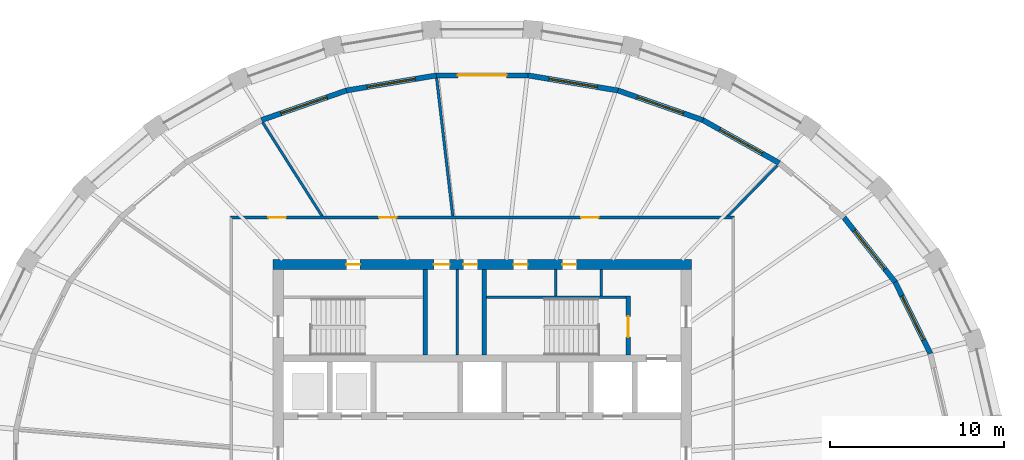
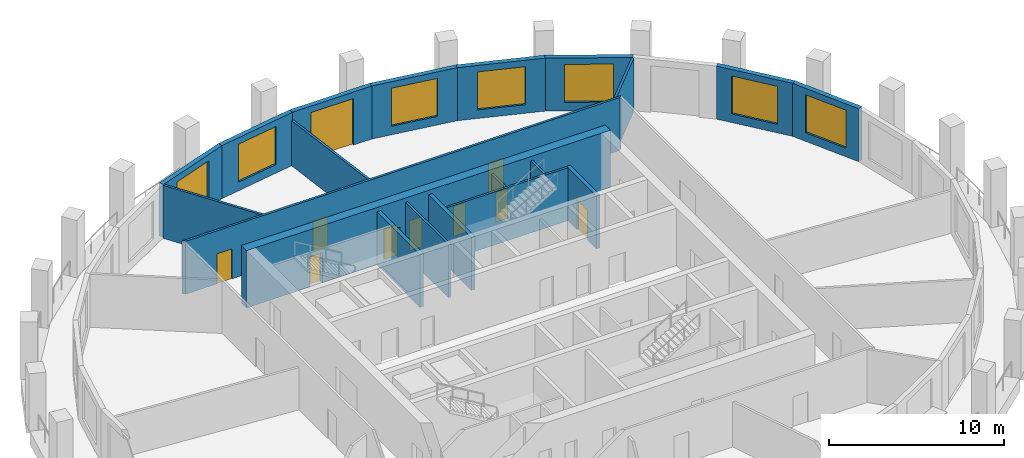
# One storey, part 6 of 10: 20 walls, 10 doors, 7 windows, 17 openings.
"""IFC4 building model written with IfcOpenShell, lengths in metres."""

from ifc_helpers import new_model, si_unit, direction, frame, frame_2d, origin, place, context, subcontext, project, spatial, polyline, rectangle, outline, extrude, material, layer, layer_set, type_object, element, fill, save


model = new_model("IFC4")

# Units and contexts
model_context = context("Model", 3, precision=1e-05, world=origin(), true_north=direction((0.0, 1.0)))
body_context = subcontext(model_context, "Body", "Model", "MODEL_VIEW")
ifc_project = project(units=[si_unit("LENGTHUNIT", "METRE"), si_unit("AREAUNIT", "SQUARE_METRE"), si_unit("VOLUMEUNIT", "CUBIC_METRE"), si_unit("PLANEANGLEUNIT", "RADIAN"), si_unit("MASSUNIT", "GRAM", prefix="KILO")], contexts=[model_context])

# Site, building, storey
site_placement = place(None, origin())
site = spatial("IfcSite", under=ifc_project, at=site_placement, CompositionType="ELEMENT")
building_placement = place(site_placement, origin())
building = spatial("IfcBuilding", under=site, at=building_placement, Name="Halqa Exchange Tower", CompositionType="ELEMENT")
storey_placement = place(building_placement, frame((0.0, 0.0, 284.300048828125)))
storey = spatial("IfcBuildingStorey", under=building, at=storey_placement, Name="L66", CompositionType="ELEMENT", Elevation=284.300048828125)

# Wall, openings, doors
ifc_material_1 = material(Name="Fire-rated gypsum board")
ifc_layer_1 = layer(ifc_material_1, 0.14990234375)
ifc_layer_set_1 = layer_set([ifc_layer_1], Name="Fire-rated gypsum board")
wall_type_1 = type_object("IfcWallType", Name="Fire partition EI 60 150", PredefinedType="PARTITIONING", material=ifc_layer_set_1)
wall_1_placement = place(storey_placement, frame((-14.47509765625, 14.39990234375, 0.0), z_axis=(0.0, 0.0, 1.0), x_axis=(1.0, 0.0, 0.0)))
wall_1 = element("IfcWall", 1, at=wall_1_placement, inside=storey, type_object=wall_type_1, Name="L66-PWL-006", PredefinedType="PARTITIONING", context=body_context, shape_type="SweptSolid", body=[
    extrude(outline(polyline([(0.150146484375, -0.074951171875), (2.06005859375, -0.074951171875), (3.97021484375, -0.074951171875), (5.880126953125, -0.074951171875), (7.7900390625, -0.074951171875), (9.7001953125, -0.074951171875), (11.610107421875, -0.074951171875), (13.52001953125, -0.074951171875), (15.43017578125, -0.074951171875), (17.340087890625, -0.074951171875), (19.25, -0.074951171875), (21.16015625, -0.074951171875), (23.070068359375, -0.074951171875), (24.97998046875, -0.074951171875), (26.89013671875, -0.074951171875), (28.800048828125, -0.074951171875), (28.949951171875, 0.074951171875), (27.02001953125, 0.074951171875), (25.090087890625, 0.074951171875), (23.159912109375, 0.074951171875), (21.22998046875, 0.074951171875), (19.300048828125, 0.074951171875), (17.3701171875, 0.074951171875), (15.440185546875, 0.074951171875), (13.510009765625, 0.074951171875), (11.580078125, 0.074951171875), (9.650146484375, 0.074951171875), (7.72021484375, 0.074951171875), (5.790283203125, 0.074951171875), (3.860107421875, 0.074951171875), (1.93017578125, 0.074951171875), (0.000244140625, 0.074951171875), (0.150146484375, -0.074951171875)])), origin(), (0.0, 0.0, 1.0), 3.699951171875),
])
opening_1_placement = place(wall_1_placement, frame((20.14990234375, 0.0, 0.0)))
opening_1 = element("IfcOpeningElement", 2, at=opening_1_placement, cuts=wall_1, Name="Opening 20-04", PredefinedType="OPENING", context=body_context, shape_type="SweptSolid", body=[
    extrude(rectangle(XDim=1.0, YDim=2.10009765625, at=frame_2d((0.5, 1.050048828125))), frame((0.0, 0.0869140625, 0.0), z_axis=(0.0, -1.0, 0.0), x_axis=(1.0, 0.0, 0.0)), (0.0, 0.0, 1.0), 0.173828125),
])
opening_2_placement = place(wall_1_placement, frame((8.56494140625, 0.0, 0.0)))
opening_2 = element("IfcOpeningElement", 3, at=opening_2_placement, cuts=wall_1, Name="Opening 20-05", PredefinedType="OPENING", context=body_context, shape_type="SweptSolid", body=[
    extrude(rectangle(XDim=1.0, YDim=2.10009765625, at=frame_2d((0.5, 1.050048828125))), frame((0.0, 0.0869140625, 0.0), z_axis=(0.0, -1.0, 0.0), x_axis=(1.0, 0.0, 0.0)), (0.0, 0.0, 1.0), 0.173828125),
])
opening_3_placement = place(wall_1_placement, frame((2.205078125, 0.0, 0.0)))
opening_3 = element("IfcOpeningElement", 4, at=opening_3_placement, cuts=wall_1, Name="Opening 20-06", PredefinedType="OPENING", context=body_context, shape_type="SweptSolid", body=[
    extrude(rectangle(XDim=1.0, YDim=2.10009765625, at=frame_2d((0.5, 1.050048828125))), frame((0.0, 0.0869140625, 0.0), z_axis=(0.0, -1.0, 0.0), x_axis=(1.0, 0.0, 0.0)), (0.0, 0.0, 1.0), 0.173828125),
])
ifc_material_2 = material(Name="Steel fire door leaf", Category="steel")
door_type_1 = type_object("IfcDoorType", Name="Fire door FD30S 1000 x 2100", OperationType="SINGLE_SWING_LEFT", PredefinedType="DOOR", material=ifc_material_2)
door_1_placement = place(opening_1_placement, origin())
door_1 = element("IfcDoor", 5, at=door_1_placement, inside=storey, type_object=door_type_1, Name="L66-IDR-004", OperationType="SINGLE_SWING_LEFT", OverallHeight=2.10009765625, OverallWidth=1.0, PredefinedType="DOOR", context=body_context, shape_type="SweptSolid", body=[
    extrude(rectangle(XDim=1.0, YDim=2.10009765625, at=frame_2d((0.5, 1.050048828125))), frame((0.0, 0.02490234375, 0.0), z_axis=(0.0, -1.0, 0.0), x_axis=(1.0, 0.0, 0.0)), (0.0, 0.0, 1.0), 0.050048828125),
])
fill(opening_1, door_1)
door_2_placement = place(opening_2_placement, origin())
door_2 = element("IfcDoor", 6, at=door_2_placement, inside=storey, type_object=door_type_1, Name="L66-IDR-005", OperationType="SINGLE_SWING_LEFT", OverallHeight=2.10009765625, OverallWidth=1.0, PredefinedType="DOOR", context=body_context, shape_type="SweptSolid", body=[
    extrude(rectangle(XDim=1.0, YDim=2.10009765625, at=frame_2d((0.5, 1.050048828125))), frame((0.0, 0.02490234375, 0.0), z_axis=(0.0, -1.0, 0.0), x_axis=(1.0, 0.0, 0.0)), (0.0, 0.0, 1.0), 0.050048828125),
])
fill(opening_2, door_2)
door_3_placement = place(opening_3_placement, origin())
door_3 = element("IfcDoor", 7, at=door_3_placement, inside=storey, type_object=door_type_1, Name="L66-IDR-006", OperationType="SINGLE_SWING_LEFT", OverallHeight=2.10009765625, OverallWidth=1.0, PredefinedType="DOOR", context=body_context, shape_type="SweptSolid", body=[
    extrude(rectangle(XDim=1.0, YDim=2.10009765625, at=frame_2d((0.5, 1.050048828125))), frame((0.0, 0.02490234375, 0.0), z_axis=(0.0, -1.0, 0.0), x_axis=(1.0, 0.0, 0.0)), (0.0, 0.0, 1.0), 0.050048828125),
])
fill(opening_3, door_3)

# Walls
wall_2_placement = place(storey_placement, frame((-9.162109375, 14.43505859375, 0.0), z_axis=(0.0, 0.0, 1.0), x_axis=(-0.536136809147, 0.844131104674, 0.0)))
element("IfcWall", 8, at=wall_2_placement, inside=storey, type_object=wall_type_1, Name="L66-PWL-007", PredefinedType="PARTITIONING", context=body_context, shape_type="SweptSolid", body=[
    extrude(outline(polyline([(0.0, -0.074951171875), (1.59912109375, -0.074951171875), (3.198486328125, -0.074951171875), (4.797607421875, -0.074951171875), (6.396728515625, -0.074951171875), (6.413818359375, -0.00244140625), (6.41748046875, 0.06640625), (6.41748046875, 0.074951171875), (4.8369140625, 0.074951171875), (3.256103515625, 0.074951171875), (1.675537109375, 0.074951171875), (0.094970703125, 0.074951171875), (0.0, -0.074462890625), (0.0, -0.074951171875)])), origin(), (0.0, 0.0, 1.0), 3.699951171875),
])
wall_3_placement = place(storey_placement, frame((-1.687744140625, 14.466552734375, 0.0), z_axis=(0.0, 0.0, 1.0), x_axis=(-0.116071250105, 0.993240889663, 0.0)))
element("IfcWall", 9, at=wall_3_placement, inside=storey, type_object=wall_type_1, Name="L66-PWL-009", PredefinedType="PARTITIONING", context=body_context, shape_type="SweptSolid", body=[
    extrude(outline(polyline([(0.0, -0.074951171875), (1.99462890625, -0.074951171875), (3.9892578125, -0.074951171875), (5.98388671875, -0.074951171875), (7.978515625, -0.074951171875), (7.984375, -0.025390625), (7.984375, 0.074951171875), (5.99267578125, 0.074951171875), (4.000732421875, 0.074951171875), (2.009033203125, 0.074951171875), (0.017333984375, 0.074951171875), (0.0, -0.07275390625), (0.0, -0.074951171875)])), origin(), (0.0, 0.0, 1.0), 3.14990234375),
])
wall_4_placement = place(storey_placement, frame((14.05224609375, 14.4228515625, 0.0), z_axis=(0.0, 0.0, 1.0), x_axis=(0.698170464683, 0.715931562542, 0.0)))
element("IfcWall", 10, at=wall_4_placement, inside=storey, type_object=wall_type_1, Name="L66-PWL-011", PredefinedType="PARTITIONING", context=body_context, shape_type="SweptSolid", body=[
    extrude(outline(polyline([(4.137451171875, -0.074951171875), (4.137451171875, 0.074951171875), (4.137451171875, 0.074951171875), (2.75830078125, 0.074951171875), (1.379150390625, 0.074951171875), (0.0, 0.074951171875), (0.0, 0.07470703125), (0.14599609375, -0.074951171875), (2.1416015625, -0.074951171875), (4.137451171875, -0.074951171875)])), origin(), (0.0, 0.0, 1.0), 3.699951171875),
])
ifc_material_3 = material(Name="Gypsum board")
ifc_layer_2 = layer(ifc_material_3, 0.14990234375)
ifc_layer_set_2 = layer_set([ifc_layer_2], Name="Gypsum board")
wall_type_2 = type_object("IfcWallType", Name="Penthouse riser wall 150 gypsum", PredefinedType="PARTITIONING", material=ifc_layer_set_2)
wall_5_placement = place(storey_placement, frame((-1.425048828125, 6.5, 0.0), z_axis=(0.0, 0.0, 1.0), x_axis=(0.0, 1.0, 0.0)))
element("IfcWall", 11, at=wall_5_placement, inside=storey, type_object=wall_type_2, Name="Partition W1.425 N", PredefinedType="PARTITIONING", context=body_context, shape_type="SweptSolid", body=[
    extrude(rectangle(XDim=4.89990234375, YDim=0.14990234375, at=frame_2d((2.449951171875, 0.0))), origin(), (0.0, 0.0, 1.0), 3.699951171875),
])
for number, where, z_axis, x_axis, name in (
    (12, (4.22509765625, 9.89990234375, 0.0), (0.0, 0.0, 1.0), (0.0, 1.0, 0.0), "Partition E4.225 N"),
    (13, (6.824951171875, 9.89990234375, 0.0), (0.0, 0.0, 1.0), (0.0, 1.0, 0.0), "Firefighting lobby west wall N"),
):
    element("IfcWall", number, at=place(storey_placement, frame(where, z_axis=z_axis, x_axis=x_axis)), inside=storey, type_object=wall_type_2, Name=name, PredefinedType="PARTITIONING", context=body_context, shape_type="SweptSolid", body=[
        extrude(rectangle(XDim=1.5, YDim=0.14990234375, at=frame_2d((0.75, 0.0))), origin(), (0.0, 0.0, 1.0), 3.699951171875),
    ])

# Wall, openings, doors
ifc_material_4 = material(Name="Concrete C60/75", Category="concrete")
ifc_layer_3 = layer(ifc_material_4, 0.60009765625)
ifc_layer_set_3 = layer_set([ifc_layer_3], Name="Concrete C60/75")
wall_type_3 = type_object("IfcWallType", Name="RC core wall 600 C60/75", PredefinedType="SHEAR", material=ifc_layer_set_3)
wall_6_placement = place(storey_placement, frame((-12.0, 11.699951171875, 0.0), z_axis=(0.0, 0.0, 1.0), x_axis=(1.0, 0.0, 0.0)))
wall_6 = element("IfcWall", 14, at=wall_6_placement, inside=storey, type_object=wall_type_3, Name="Core wall north", PredefinedType="SHEAR", context=body_context, shape_type="SweptSolid", body=[
    extrude(rectangle(XDim=24.0, YDim=0.60009765625, at=frame_2d((12.0, 0.0))), origin(), (0.0, 0.0, 1.0), 4.0),
])
opening_4_placement = place(wall_6_placement, frame((9.22509765625, 0.0, 0.0)))
opening_4 = element("IfcOpeningElement", 15, at=opening_4_placement, cuts=wall_6, Name="Opening T20-C17", PredefinedType="OPENING", context=body_context, shape_type="SweptSolid", body=[
    extrude(rectangle(XDim=0.89990234375, YDim=2.10009765625, at=frame_2d((0.449951171875, 1.050048828125))), frame((0.0, 0.31201171875, 0.0), z_axis=(0.0, -1.0, 0.0), x_axis=(1.0, 0.0, 0.0)), (0.0, 0.0, 1.0), 0.6240234375),
])
opening_5_placement = place(wall_6_placement, frame((10.925048828125, 0.0, 0.0)))
opening_5 = element("IfcOpeningElement", 16, at=opening_5_placement, cuts=wall_6, Name="Opening T20-C18", PredefinedType="OPENING", context=body_context, shape_type="SweptSolid", body=[
    extrude(rectangle(XDim=0.800048828125, YDim=2.10009765625, at=frame_2d((0.39990234375, 1.050048828125))), frame((0.0, 0.31201171875, 0.0), z_axis=(0.0, -1.0, 0.0), x_axis=(1.0, 0.0, 0.0)), (0.0, 0.0, 1.0), 0.6240234375),
])
opening_6_placement = place(wall_6_placement, frame((4.199951171875, 0.0, 0.0)))
opening_6 = element("IfcOpeningElement", 17, at=opening_6_placement, cuts=wall_6, Name="Opening T20-C19", PredefinedType="OPENING", context=body_context, shape_type="SweptSolid", body=[
    extrude(rectangle(XDim=0.800048828125, YDim=2.10009765625, at=frame_2d((0.39990234375, 1.050048828125))), frame((0.0, 0.31201171875, 0.0), z_axis=(0.0, -1.0, 0.0), x_axis=(1.0, 0.0, 0.0)), (0.0, 0.0, 1.0), 0.6240234375),
])
opening_7_placement = place(wall_6_placement, frame((13.800048828125, 0.0, 0.0)))
opening_7 = element("IfcOpeningElement", 18, at=opening_7_placement, cuts=wall_6, Name="Opening T20-C20", PredefinedType="OPENING", context=body_context, shape_type="SweptSolid", body=[
    extrude(rectangle(XDim=0.800048828125, YDim=2.10009765625, at=frame_2d((0.39990234375, 1.050048828125))), frame((0.0, 0.31201171875, 0.0), z_axis=(0.0, -1.0, 0.0), x_axis=(1.0, 0.0, 0.0)), (0.0, 0.0, 1.0), 0.6240234375),
])
opening_8_placement = place(wall_6_placement, frame((16.60009765625, 0.0, 0.0)))
opening_8 = element("IfcOpeningElement", 19, at=opening_8_placement, cuts=wall_6, Name="Opening T20-C21", PredefinedType="OPENING", context=body_context, shape_type="SweptSolid", body=[
    extrude(rectangle(XDim=0.800048828125, YDim=2.10009765625, at=frame_2d((0.39990234375, 1.050048828125))), frame((0.0, 0.31201171875, 0.0), z_axis=(0.0, -1.0, 0.0), x_axis=(1.0, 0.0, 0.0)), (0.0, 0.0, 1.0), 0.6240234375),
])
ifc_material_5 = material(Name="Timber fire door leaf", Category="wood")
door_type_2 = type_object("IfcDoorType", Name="Core room door FD30 900 x 2100", OperationType="SINGLE_SWING_LEFT", PredefinedType="DOOR", material=ifc_material_5)
door_4_placement = place(opening_4_placement, frame((0.89990234375, 0.0, 0.0), z_axis=(0.0, 0.0, 1.0), x_axis=(-1.0, 0.0, 0.0)))
door_4 = element("IfcDoor", 20, at=door_4_placement, inside=storey, type_object=door_type_2, Name="Core room door", OperationType="SINGLE_SWING_RIGHT", OverallHeight=2.10009765625, OverallWidth=0.89990234375, PredefinedType="DOOR", context=body_context, shape_type="SweptSolid", body=[
    extrude(rectangle(XDim=0.89990234375, YDim=2.10009765625, at=frame_2d((0.449951171875, 1.050048828125))), frame((0.0, 0.02490234375, 0.0), z_axis=(0.0, -1.0, 0.0), x_axis=(1.0, 0.0, 0.0)), (0.0, 0.0, 1.0), 0.050048828125),
])
fill(opening_4, door_4)
door_type_3 = type_object("IfcDoorType", Name="Riser door FD60 800 x 2100", OperationType="SINGLE_SWING_LEFT", PredefinedType="DOOR", material=ifc_material_2)
door_5_placement = place(opening_5_placement, frame((0.800048828125, 0.0, 0.0), z_axis=(0.0, 0.0, 1.0), x_axis=(-1.0, 0.0, 0.0)))
door_5 = element("IfcDoor", 21, at=door_5_placement, inside=storey, type_object=door_type_3, Name="Core room door", OperationType="SINGLE_SWING_LEFT", OverallHeight=2.10009765625, OverallWidth=0.800048828125, PredefinedType="DOOR", context=body_context, shape_type="SweptSolid", body=[
    extrude(rectangle(XDim=0.800048828125, YDim=2.10009765625, at=frame_2d((0.39990234375, 1.050048828125))), frame((0.0, 0.02490234375, 0.0), z_axis=(0.0, -1.0, 0.0), x_axis=(1.0, 0.0, 0.0)), (0.0, 0.0, 1.0), 0.050048828125),
])
fill(opening_5, door_5)
door_6_placement = place(opening_6_placement, frame((0.800048828125, 0.0, 0.0), z_axis=(0.0, 0.0, 1.0), x_axis=(-1.0, 0.0, 0.0)))
door_6 = element("IfcDoor", 22, at=door_6_placement, inside=storey, type_object=door_type_3, Name="Core room door", OperationType="SINGLE_SWING_LEFT", OverallHeight=2.10009765625, OverallWidth=0.800048828125, PredefinedType="DOOR", context=body_context, shape_type="SweptSolid", body=[
    extrude(rectangle(XDim=0.800048828125, YDim=2.10009765625, at=frame_2d((0.39990234375, 1.050048828125))), frame((0.0, 0.02490234375, 0.0), z_axis=(0.0, -1.0, 0.0), x_axis=(1.0, 0.0, 0.0)), (0.0, 0.0, 1.0), 0.050048828125),
])
fill(opening_6, door_6)
door_7_placement = place(opening_7_placement, frame((0.800048828125, 0.0, 0.0), z_axis=(0.0, 0.0, 1.0), x_axis=(-1.0, 0.0, 0.0)))
door_7 = element("IfcDoor", 23, at=door_7_placement, inside=storey, type_object=door_type_3, Name="Core room door", OperationType="SINGLE_SWING_RIGHT", OverallHeight=2.10009765625, OverallWidth=0.800048828125, PredefinedType="DOOR", context=body_context, shape_type="SweptSolid", body=[
    extrude(rectangle(XDim=0.800048828125, YDim=2.10009765625, at=frame_2d((0.39990234375, 1.050048828125))), frame((0.0, 0.02490234375, 0.0), z_axis=(0.0, -1.0, 0.0), x_axis=(1.0, 0.0, 0.0)), (0.0, 0.0, 1.0), 0.050048828125),
])
fill(opening_7, door_7)
door_8_placement = place(opening_8_placement, frame((0.800048828125, 0.0, 0.0), z_axis=(0.0, 0.0, 1.0), x_axis=(-1.0, 0.0, 0.0)))
door_8 = element("IfcDoor", 24, at=door_8_placement, inside=storey, type_object=door_type_3, Name="Core room door", OperationType="SINGLE_SWING_LEFT", OverallHeight=2.10009765625, OverallWidth=0.800048828125, PredefinedType="DOOR", context=body_context, shape_type="SweptSolid", body=[
    extrude(rectangle(XDim=0.800048828125, YDim=2.10009765625, at=frame_2d((0.39990234375, 1.050048828125))), frame((0.0, 0.02490234375, 0.0), z_axis=(0.0, -1.0, 0.0), x_axis=(1.0, 0.0, 0.0)), (0.0, 0.0, 1.0), 0.050048828125),
])
fill(opening_8, door_8)

# Walls
ifc_material_6 = material(Name="Concrete C30/37", Category="concrete")
ifc_layer_4 = layer(ifc_material_6, 0.14990234375)
ifc_layer_set_4 = layer_set([ifc_layer_4], Name="Concrete C30/37")
wall_type_4 = type_object("IfcWallType", Name="RC stair wall 150 C30/37", PredefinedType="SHEAR", material=ifc_layer_set_4)
wall_7_placement = place(storey_placement, frame((0.25, 9.824951171875, 0.0), z_axis=(0.0, 0.0, 1.0), x_axis=(1.0, 0.0, 0.0)))
element("IfcWall", 25, at=wall_7_placement, inside=storey, type_object=wall_type_4, Name="Stair ST2 north wall N", PredefinedType="SHEAR", context=body_context, shape_type="SweptSolid", body=[
    extrude(rectangle(XDim=8.0, YDim=0.14990234375, at=frame_2d((4.0, 0.0))), origin(), (0.0, 0.0, 1.0), 3.699951171875),
])
ifc_layer_5 = layer(ifc_material_6, 0.25)
ifc_layer_set_5 = layer_set([ifc_layer_5], Name="Concrete C30/37")
wall_type_5 = type_object("IfcWallType", Name="RC stair wall 250 C30/37", PredefinedType="SHEAR", material=ifc_layer_set_5)
for number, where, z_axis, x_axis, name in (
    (26, (-3.27490234375, 6.5, 0.0), (0.0, 0.0, 1.0), (0.0, 1.0, 0.0), "Stair ST1 east wall N"),
    (27, (0.125, 6.5, 0.0), (0.0, 0.0, 1.0), (0.0, 1.0, 0.0), "Stair ST2 west wall N"),
):
    element("IfcWall", number, at=place(storey_placement, frame(where, z_axis=z_axis, x_axis=x_axis)), inside=storey, type_object=wall_type_5, Name=name, PredefinedType="SHEAR", context=body_context, shape_type="SweptSolid", body=[
        extrude(rectangle(XDim=4.89990234375, YDim=0.25, at=frame_2d((2.449951171875, 0.0))), origin(), (0.0, 0.0, 1.0), 3.699951171875),
    ])

# Wall, opening, door
wall_8_placement = place(storey_placement, frame((8.375, 6.5, 0.0), z_axis=(0.0, 0.0, 1.0), x_axis=(0.0, 1.0, 0.0)))
wall_8 = element("IfcWall", 28, at=wall_8_placement, inside=storey, type_object=wall_type_5, Name="Stair ST2 east wall N", PredefinedType="SHEAR", context=body_context, shape_type="SweptSolid", body=[
    extrude(rectangle(XDim=3.39990234375, YDim=0.25, at=frame_2d((1.699951171875, 0.0))), origin(), (0.0, 0.0, 1.0), 3.699951171875),
])
opening_9_placement = place(wall_8_placement, frame((1.02490234375, 0.0, 0.0)))
opening_9 = element("IfcOpeningElement", 29, at=opening_9_placement, cuts=wall_8, Name="Opening T20-C12", PredefinedType="OPENING", context=body_context, shape_type="SweptSolid", body=[
    extrude(rectangle(XDim=1.199951171875, YDim=2.10009765625, at=frame_2d((0.60009765625, 1.050048828125))), frame((0.0, 0.136962890625, 0.0), z_axis=(0.0, -1.0, 0.0), x_axis=(1.0, 0.0, 0.0)), (0.0, 0.0, 1.0), 0.27392578125),
])
door_type_4 = type_object("IfcDoorType", Name="Stair door FD90 1200 x 2100", OperationType="SINGLE_SWING_LEFT", PredefinedType="DOOR", material=ifc_material_2)
door_9_placement = place(opening_9_placement, origin())
door_9 = element("IfcDoor", 30, at=door_9_placement, inside=storey, type_object=door_type_4, Name="Stair door ST2", OperationType="SINGLE_SWING_RIGHT", OverallHeight=2.10009765625, OverallWidth=1.199951171875, PredefinedType="DOOR", context=body_context, shape_type="SweptSolid", body=[
    extrude(rectangle(XDim=1.199951171875, YDim=2.10009765625, at=frame_2d((0.60009765625, 1.050048828125))), frame((0.0, 0.02490234375, 0.0), z_axis=(0.0, -1.0, 0.0), x_axis=(1.0, 0.0, 0.0)), (0.0, 0.0, 1.0), 0.050048828125),
])
fill(opening_9, door_9)

# Wall, opening, window
ifc_material_7 = material(Name="Limestone cladding", Category="masonry")
ifc_layer_6 = layer(ifc_material_7, 0.0400390625)
ifc_material_8 = material(Name="Ventilated cavity")
ifc_layer_7 = layer(ifc_material_8, 0.030029296875, ventilated=True)
ifc_material_9 = material(Name="Mineral wool insulation")
ifc_layer_8 = layer(ifc_material_9, 0.10009765625)
ifc_layer_9 = layer(ifc_material_6, 0.10009765625)
ifc_material_10 = material(Name="Internal plaster")
ifc_layer_10 = layer(ifc_material_10, 0.030029296875)
ifc_layer_set_6 = layer_set([ifc_layer_6, ifc_layer_7, ifc_layer_8, ifc_layer_9, ifc_layer_10], Name="Stone-faced insulated wall 300")
wall_type_6 = type_object("IfcWallType", Name="Stone-faced insulated wall 300", PredefinedType="STANDARD", material=ifc_layer_set_6)
wall_9_placement = place(storey_placement, frame((25.717529296875, 6.584716796875, 0.0), z_axis=(0.0, 0.0, 1.0), x_axis=(-0.441335149795, 0.897342345794, 0.0)))
wall_9 = element("IfcWall", 31, at=wall_9_placement, inside=storey, type_object=wall_type_6, Name="Glass-line wall 2", PredefinedType="STANDARD", context=body_context, shape_type="SweptSolid", body=[
    extrude(outline(polyline([(-0.016845703125, -0.14990234375), (4.592041015625, -0.14990234375), (4.559814453125, 0.14990234375), (0.016845703125, 0.14990234375), (-0.016845703125, -0.14990234375)])), origin(), (0.0, 0.0, 1.0), 3.699951171875),
])
opening_10_placement = place(wall_9_placement, frame((0.887939453125, 0.0, 0.60009765625)))
opening_10 = element("IfcOpeningElement", 32, at=opening_10_placement, cuts=wall_9, Name="Opening W-F4-02", PredefinedType="OPENING", context=body_context, shape_type="SweptSolid", body=[
    extrude(rectangle(XDim=2.800048828125, YDim=2.64990234375, at=frame_2d((1.39990234375, 1.324951171875))), frame((0.0, 0.162109375, 0.0), z_axis=(0.0, -1.0, 0.0), x_axis=(1.0, 0.0, 0.0)), (0.0, 0.0, 1.0), 0.323974609375),
])
ifc_material_11 = material(Name="Clear low-emissivity glass in aluminium frame", Category="aluminium")
window_type = type_object("IfcWindowType", Name="Fixed clear glazed window 2800 x 2650", PartitioningType="DOUBLE_PANEL_VERTICAL", PredefinedType="WINDOW", material=ifc_material_11)
window_1_placement = place(opening_10_placement, origin())
window_1 = element("IfcWindow", 33, at=window_1_placement, inside=storey, type_object=window_type, Name="Window 4", OverallHeight=2.64990234375, OverallWidth=2.800048828125, PartitioningType="DOUBLE_PANEL_VERTICAL", PredefinedType="WINDOW", context=body_context, shape_type="SweptSolid", body=[
    extrude(rectangle(XDim=2.800048828125, YDim=2.64990234375, at=frame_2d((1.39990234375, 1.324951171875))), frame((0.0, 0.030029296875, 0.0), z_axis=(0.0, -1.0, 0.0), x_axis=(1.0, 0.0, 0.0)), (0.0, 0.0, 1.0), 0.06005859375),
])
fill(opening_10, window_1)

wall_10_placement = place(storey_placement, frame((23.697998046875, 10.69091796875, 0.0), z_axis=(0.0, 0.0, 1.0), x_axis=(-0.621544881236, 0.783378555112, 0.0)))
wall_10 = element("IfcWall", 34, at=wall_10_placement, inside=storey, type_object=wall_type_6, Name="Glass-line wall 3", PredefinedType="STANDARD", context=body_context, shape_type="SweptSolid", body=[
    extrude(outline(polyline([(-0.01611328125, -0.14990234375), (4.7294921875, -0.14990234375), (4.69921875, 0.14990234375), (0.01611328125, 0.14990234375), (-0.01611328125, -0.14990234375)])), origin(), (0.0, 0.0, 1.0), 3.699951171875),
])
opening_11_placement = place(wall_10_placement, frame((0.957275390625, 0.0, 0.60009765625)))
opening_11 = element("IfcOpeningElement", 35, at=opening_11_placement, cuts=wall_10, Name="Opening W-F4-03", PredefinedType="OPENING", context=body_context, shape_type="SweptSolid", body=[
    extrude(rectangle(XDim=2.800048828125, YDim=2.64990234375, at=frame_2d((1.39990234375, 1.324951171875))), frame((0.0, 0.162109375, 0.0), z_axis=(0.0, -1.0, 0.0), x_axis=(1.0, 0.0, 0.0)), (0.0, 0.0, 1.0), 0.323974609375),
])
window_2_placement = place(opening_11_placement, origin())
window_2 = element("IfcWindow", 36, at=window_2_placement, inside=storey, type_object=window_type, Name="Window 4", OverallHeight=2.64990234375, OverallWidth=2.800048828125, PartitioningType="DOUBLE_PANEL_VERTICAL", PredefinedType="WINDOW", context=body_context, shape_type="SweptSolid", body=[
    extrude(rectangle(XDim=2.800048828125, YDim=2.64990234375, at=frame_2d((1.39990234375, 1.324951171875))), frame((0.0, 0.030029296875, 0.0), z_axis=(0.0, -1.0, 0.0), x_axis=(1.0, 0.0, 0.0)), (0.0, 0.0, 1.0), 0.06005859375),
])
fill(opening_11, window_2)

wall_11_placement = place(storey_placement, frame((17.040771484375, 17.52294921875, 0.0), z_axis=(0.0, 0.0, 1.0), x_axis=(-0.871488606878, 0.490415750239, 0.0)))
wall_11 = element("IfcWall", 37, at=wall_11_placement, inside=storey, type_object=wall_type_6, Name="Glass-line wall 5", PredefinedType="STANDARD", context=body_context, shape_type="SweptSolid", body=[
    extrude(outline(polyline([(-0.01416015625, -0.14990234375), (5.039306640625, -0.14990234375), (5.012939453125, 0.14990234375), (0.01416015625, 0.14990234375), (-0.01416015625, -0.14990234375)])), origin(), (0.0, 0.0, 1.0), 3.699951171875),
])
opening_12_placement = place(wall_11_placement, frame((1.113037109375, 0.0, 0.60009765625)))
opening_12 = element("IfcOpeningElement", 38, at=opening_12_placement, cuts=wall_11, Name="Opening W-F4-05", PredefinedType="OPENING", context=body_context, shape_type="SweptSolid", body=[
    extrude(rectangle(XDim=2.800048828125, YDim=2.64990234375, at=frame_2d((1.39990234375, 1.324951171875))), frame((0.0, 0.162109375, 0.0), z_axis=(0.0, -1.0, 0.0), x_axis=(1.0, 0.0, 0.0)), (0.0, 0.0, 1.0), 0.323974609375),
])
window_3_placement = place(opening_12_placement, origin())
window_3 = element("IfcWindow", 39, at=window_3_placement, inside=storey, type_object=window_type, Name="Window 4", OverallHeight=2.64990234375, OverallWidth=2.800048828125, PartitioningType="DOUBLE_PANEL_VERTICAL", PredefinedType="WINDOW", context=body_context, shape_type="SweptSolid", body=[
    extrude(rectangle(XDim=2.800048828125, YDim=2.64990234375, at=frame_2d((1.39990234375, 1.324951171875))), frame((0.0, 0.030029296875, 0.0), z_axis=(0.0, -1.0, 0.0), x_axis=(1.0, 0.0, 0.0)), (0.0, 0.0, 1.0), 0.06005859375),
])
fill(opening_12, window_3)

wall_12_placement = place(storey_placement, frame((12.66064453125, 19.98779296875, 0.0), z_axis=(0.0, 0.0, 1.0), x_axis=(-0.944204293701, 0.329360367617, 0.0)))
wall_12 = element("IfcWall", 40, at=wall_12_placement, inside=storey, type_object=wall_type_6, Name="Glass-line wall 6", PredefinedType="STANDARD", context=body_context, shape_type="SweptSolid", body=[
    extrude(outline(polyline([(-0.01318359375, -0.14990234375), (5.165283203125, -0.14990234375), (5.139892578125, 0.14990234375), (0.01318359375, 0.14990234375), (-0.01318359375, -0.14990234375)])), origin(), (0.0, 0.0, 1.0), 3.699951171875),
])
opening_13_placement = place(wall_12_placement, frame((1.17626953125, 0.0, 0.60009765625)))
opening_13 = element("IfcOpeningElement", 41, at=opening_13_placement, cuts=wall_12, Name="Opening W-F4-06", PredefinedType="OPENING", context=body_context, shape_type="SweptSolid", body=[
    extrude(rectangle(XDim=2.800048828125, YDim=2.64990234375, at=frame_2d((1.39990234375, 1.324951171875))), frame((0.0, 0.162109375, 0.0), z_axis=(0.0, -1.0, 0.0), x_axis=(1.0, 0.0, 0.0)), (0.0, 0.0, 1.0), 0.323974609375),
])
window_4_placement = place(opening_13_placement, origin())
window_4 = element("IfcWindow", 42, at=window_4_placement, inside=storey, type_object=window_type, Name="Window 4", OverallHeight=2.64990234375, OverallWidth=2.800048828125, PartitioningType="DOUBLE_PANEL_VERTICAL", PredefinedType="WINDOW", context=body_context, shape_type="SweptSolid", body=[
    extrude(rectangle(XDim=2.800048828125, YDim=2.64990234375, at=frame_2d((1.39990234375, 1.324951171875))), frame((0.0, 0.030029296875, 0.0), z_axis=(0.0, -1.0, 0.0), x_axis=(1.0, 0.0, 0.0)), (0.0, 0.0, 1.0), 0.06005859375),
])
fill(opening_13, window_4)

wall_13_placement = place(storey_placement, frame((7.795654296875, 21.684814453125, 0.0), z_axis=(0.0, 0.0, 1.0), x_axis=(-0.986257472007, 0.165215613396, 0.0)))
wall_13 = element("IfcWall", 43, at=wall_13_placement, inside=storey, type_object=wall_type_6, Name="Glass-line wall 7", PredefinedType="STANDARD", context=body_context, shape_type="SweptSolid", body=[
    extrude(outline(polyline([(-0.0126953125, -0.14990234375), (5.248046875, -0.14990234375), (5.22314453125, 0.14990234375), (0.0126953125, 0.14990234375), (-0.0126953125, -0.14990234375)])), origin(), (0.0, 0.0, 1.0), 3.699951171875),
])
opening_14_placement = place(wall_13_placement, frame((1.2177734375, 0.0, 0.60009765625)))
opening_14 = element("IfcOpeningElement", 44, at=opening_14_placement, cuts=wall_13, Name="Opening W-F4-07", PredefinedType="OPENING", context=body_context, shape_type="SweptSolid", body=[
    extrude(rectangle(XDim=2.800048828125, YDim=2.64990234375, at=frame_2d((1.39990234375, 1.324951171875))), frame((0.0, 0.162109375, 0.0), z_axis=(0.0, -1.0, 0.0), x_axis=(1.0, 0.0, 0.0)), (0.0, 0.0, 1.0), 0.323974609375),
])
window_5_placement = place(opening_14_placement, origin())
window_5 = element("IfcWindow", 45, at=window_5_placement, inside=storey, type_object=window_type, Name="Window 4", OverallHeight=2.64990234375, OverallWidth=2.800048828125, PartitioningType="DOUBLE_PANEL_VERTICAL", PredefinedType="WINDOW", context=body_context, shape_type="SweptSolid", body=[
    extrude(rectangle(XDim=2.800048828125, YDim=2.64990234375, at=frame_2d((1.39990234375, 1.324951171875))), frame((0.0, 0.030029296875, 0.0), z_axis=(0.0, -1.0, 0.0), x_axis=(1.0, 0.0, 0.0)), (0.0, 0.0, 1.0), 0.06005859375),
])
fill(opening_14, window_5)

# Wall, opening, door
wall_14_placement = place(storey_placement, frame((2.632080078125, 22.5498046875, 0.0), z_axis=(0.0, 0.0, 1.0), x_axis=(-1.0, 0.0, 0.0)))
wall_14 = element("IfcWall", 46, at=wall_14_placement, inside=storey, type_object=wall_type_6, Name="Glass-line wall 8", PredefinedType="STANDARD", context=body_context, shape_type="SweptSolid", body=[
    extrude(outline(polyline([(-0.012451171875, -0.14990234375), (5.276611328125, -0.14990234375), (5.251708984375, 0.14990234375), (0.012451171875, 0.14990234375), (-0.012451171875, -0.14990234375)])), origin(), (0.0, 0.0, 1.0), 3.699951171875),
])
opening_15_placement = place(wall_14_placement, frame((1.232177734375, 0.0, 0.0)))
opening_15 = element("IfcOpeningElement", 47, at=opening_15_placement, cuts=wall_14, Name="Opening LG-F4-02", PredefinedType="OPENING", context=body_context, shape_type="SweptSolid", body=[
    extrude(rectangle(XDim=2.800048828125, YDim=3.25, at=frame_2d((1.39990234375, 1.625))), frame((0.0, 0.162109375, 0.0), z_axis=(0.0, -1.0, 0.0), x_axis=(1.0, 0.0, 0.0)), (0.0, 0.0, 1.0), 0.323974609375),
])
door_type_5 = type_object("IfcDoorType", Name="Glazed sliding loggia door 2800 x 3250", OperationType="DOUBLE_DOOR_SLIDING", PredefinedType="DOOR", material=ifc_material_11)
door_10_placement = place(opening_15_placement, origin())
door_10 = element("IfcDoor", 48, at=door_10_placement, inside=storey, type_object=door_type_5, Name="Loggia door 2", OperationType="DOUBLE_DOOR_SLIDING", OverallHeight=3.25, OverallWidth=2.800048828125, PredefinedType="DOOR", context=body_context, shape_type="SweptSolid", body=[
    extrude(rectangle(XDim=2.800048828125, YDim=3.25, at=frame_2d((1.39990234375, 1.625))), frame((0.0, 0.02490234375, 0.0), z_axis=(0.0, -1.0, 0.0), x_axis=(1.0, 0.0, 0.0)), (0.0, 0.0, 1.0), 0.050048828125),
])
fill(opening_15, door_10)

# Wall, opening, window
wall_15_placement = place(storey_placement, frame((-2.632080078125, 22.5498046875, 0.0), z_axis=(0.0, 0.0, 1.0), x_axis=(-0.986257472007, -0.165215613396, 0.0)))
wall_15 = element("IfcWall", 49, at=wall_15_placement, inside=storey, type_object=wall_type_6, Name="Glass-line wall 9", PredefinedType="STANDARD", context=body_context, shape_type="SweptSolid", body=[
    extrude(outline(polyline([(-0.012451171875, -0.14990234375), (5.248291015625, -0.14990234375), (5.222900390625, 0.14990234375), (0.012451171875, 0.14990234375), (-0.012451171875, -0.14990234375)])), origin(), (0.0, 0.0, 1.0), 3.699951171875),
])
opening_16_placement = place(wall_15_placement, frame((1.2177734375, 0.0, 0.60009765625)))
opening_16 = element("IfcOpeningElement", 50, at=opening_16_placement, cuts=wall_15, Name="Opening W-F4-09", PredefinedType="OPENING", context=body_context, shape_type="SweptSolid", body=[
    extrude(rectangle(XDim=2.800048828125, YDim=2.64990234375, at=frame_2d((1.39990234375, 1.324951171875))), frame((0.0, 0.162109375, 0.0), z_axis=(0.0, -1.0, 0.0), x_axis=(1.0, 0.0, 0.0)), (0.0, 0.0, 1.0), 0.323974609375),
])
window_6_placement = place(opening_16_placement, origin())
window_6 = element("IfcWindow", 51, at=window_6_placement, inside=storey, type_object=window_type, Name="Window 4", OverallHeight=2.64990234375, OverallWidth=2.800048828125, PartitioningType="DOUBLE_PANEL_VERTICAL", PredefinedType="WINDOW", context=body_context, shape_type="SweptSolid", body=[
    extrude(rectangle(XDim=2.800048828125, YDim=2.64990234375, at=frame_2d((1.39990234375, 1.324951171875))), frame((0.0, 0.030029296875, 0.0), z_axis=(0.0, -1.0, 0.0), x_axis=(1.0, 0.0, 0.0)), (0.0, 0.0, 1.0), 0.06005859375),
])
fill(opening_16, window_6)

wall_16_placement = place(storey_placement, frame((-7.795654296875, 21.684814453125, 0.0), z_axis=(0.0, 0.0, 1.0), x_axis=(-0.944204293701, -0.329360367617, 0.0)))
wall_16 = element("IfcWall", 52, at=wall_16_placement, inside=storey, type_object=wall_type_6, Name="Glass-line wall 10", PredefinedType="STANDARD", context=body_context, shape_type="SweptSolid", body=[
    extrude(outline(polyline([(-0.0126953125, -0.14990234375), (5.165771484375, -0.14990234375), (5.139404296875, 0.14990234375), (0.0126953125, 0.14990234375), (-0.0126953125, -0.14990234375)])), origin(), (0.0, 0.0, 1.0), 3.699951171875),
])
opening_17_placement = place(wall_16_placement, frame((1.17626953125, 0.0, 0.60009765625)))
opening_17 = element("IfcOpeningElement", 53, at=opening_17_placement, cuts=wall_16, Name="Opening W-F4-10", PredefinedType="OPENING", context=body_context, shape_type="SweptSolid", body=[
    extrude(rectangle(XDim=2.800048828125, YDim=2.64990234375, at=frame_2d((1.39990234375, 1.324951171875))), frame((0.0, 0.162109375, 0.0), z_axis=(0.0, -1.0, 0.0), x_axis=(1.0, 0.0, 0.0)), (0.0, 0.0, 1.0), 0.323974609375),
])
window_7_placement = place(opening_17_placement, origin())
window_7 = element("IfcWindow", 54, at=window_7_placement, inside=storey, type_object=window_type, Name="Window 4", OverallHeight=2.64990234375, OverallWidth=2.800048828125, PartitioningType="DOUBLE_PANEL_VERTICAL", PredefinedType="WINDOW", context=body_context, shape_type="SweptSolid", body=[
    extrude(rectangle(XDim=2.800048828125, YDim=2.64990234375, at=frame_2d((1.39990234375, 1.324951171875))), frame((0.0, 0.030029296875, 0.0), z_axis=(0.0, -1.0, 0.0), x_axis=(1.0, 0.0, 0.0)), (0.0, 0.0, 1.0), 0.06005859375),
])
fill(opening_17, window_7)

save(model, "model.ifc")
